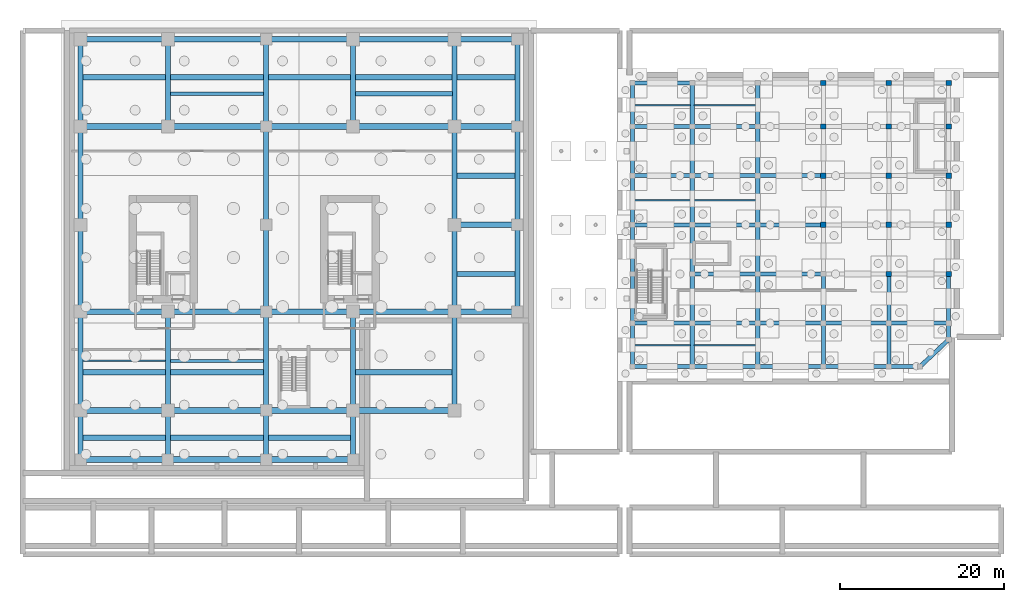
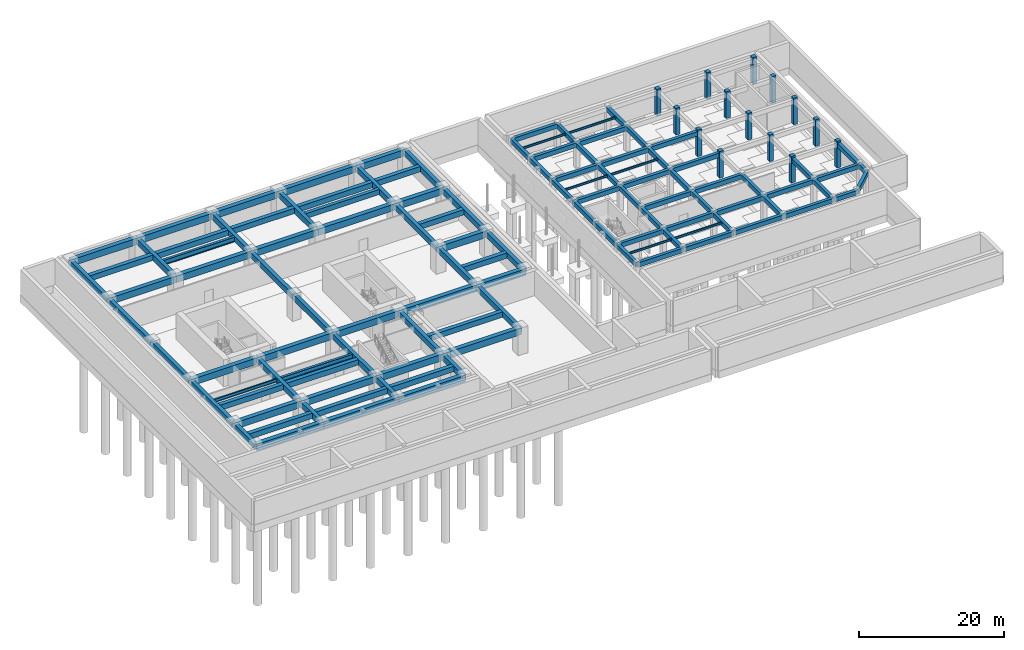
# One storey, part 7 of 14: 115 beams, 14 columns.
"""IFC4 building model written with IfcOpenShell, lengths in metres."""

from ifc_helpers import new_model, si_unit, direction, frame, origin, origin_2d, place, context, subcontext, project, spatial, rectangle, i_section, extrude, source, transform, mapped, material, material_profile, profile_set, type_object, element, save


model = new_model("IFC4")

# Units and contexts
model_context = context("Model", 3, precision=1e-05, world=origin(), true_north=direction((0.0, 1.0)))
body_context = subcontext(model_context, "Body", "Model", "MODEL_VIEW")
ifc_project = project(units=[si_unit("LENGTHUNIT", "METRE"), si_unit("AREAUNIT", "SQUARE_METRE"), si_unit("VOLUMEUNIT", "CUBIC_METRE"), si_unit("PLANEANGLEUNIT", "RADIAN"), si_unit("MASSUNIT", "GRAM", prefix="KILO")], contexts=[model_context])

# Site, building, storey
site_placement = place(None, origin())
site = spatial("IfcSite", under=ifc_project, at=site_placement, CompositionType="ELEMENT")
building_placement = place(site_placement, origin())
building = spatial("IfcBuilding", under=site, at=building_placement, Name="Khoralis Quay Care Tower", CompositionType="ELEMENT")
storey_placement = place(building_placement, frame((0.0, 0.0, -4.5)))
storey = spatial("IfcBuildingStorey", under=building, at=storey_placement, Name="B1", CompositionType="ELEMENT", Elevation=-4.5)

# Columns
ifc_material_1 = material(Name="Concrete C40/50", Category="concrete")
ifc_material_profile_1 = material_profile(ifc_material_1, rectangle(XDim=0.64990234375, YDim=0.64990234375, at=origin_2d()), Name="Concrete C40/50")
ifc_profile_set_1 = profile_set([ifc_material_profile_1], Name="Concrete C40/50")
column_type = type_object("IfcColumnType", Name="COL-SC650", PredefinedType="COLUMN", material=ifc_profile_set_1)
shared_shape_1 = source(origin(), body_context, "Body", "SweptSolid", [
    extrude(rectangle(XDim=0.64990234375, YDim=0.64990234375, at=origin_2d()), origin(), (0.0, 0.0, 1.0), 4.5),
])
for number, where, z_axis, x_axis, name in (
    (1, (92.0, 24.0, 0.0), (0.0, 0.0, 1.0), (1.0, 0.0, 0.0), "COL-SCH-B1-25"),
    (2, (92.0, 30.0, 0.0), (0.0, 0.0, 1.0), (1.0, 0.0, 0.0), "COL-SCH-B1-26"),
    (3, (92.0, 36.0, 0.0), (0.0, 0.0, 1.0), (1.0, 0.0, 0.0), "COL-SCH-B1-27"),
    (4, (92.0, 41.300048828125, 0.0), (0.0, 0.0, 1.0), (1.0, 0.0, 0.0), "COL-SCH-B1-28"),
    (5, (100.0, 18.0, 0.0), (0.0, 0.0, 1.0), (1.0, 0.0, 0.0), "COL-SCH-B1-31"),
    (6, (100.0, 24.0, 0.0), (0.0, 0.0, 1.0), (1.0, 0.0, 0.0), "COL-SCH-B1-32"),
    (7, (100.0, 30.0, 0.0), (0.0, 0.0, 1.0), (1.0, 0.0, 0.0), "COL-SCH-B1-33"),
    (8, (100.0, 36.0, 0.0), (0.0, 0.0, 1.0), (1.0, 0.0, 0.0), "COL-SCH-B1-34"),
    (9, (100.0, 41.300048828125, 0.0), (0.0, 0.0, 1.0), (1.0, 0.0, 0.0), "COL-SCH-B1-35"),
    (10, (107.300048828125, 18.0, 0.0), (0.0, 0.0, 1.0), (1.0, 0.0, 0.0), "COL-SCH-B1-37"),
    (11, (107.300048828125, 24.0, 0.0), (0.0, 0.0, 1.0), (1.0, 0.0, 0.0), "COL-SCH-B1-38"),
    (12, (107.300048828125, 30.0, 0.0), (0.0, 0.0, 1.0), (1.0, 0.0, 0.0), "COL-SCH-B1-39"),
    (13, (107.300048828125, 36.0, 0.0), (0.0, 0.0, 1.0), (1.0, 0.0, 0.0), "COL-SCH-B1-40"),
    (14, (107.300048828125, 41.300048828125, 0.0), (0.0, 0.0, 1.0), (1.0, 0.0, 0.0), "COL-SCH-B1-41"),
):
    element("IfcColumn", number, at=place(storey_placement, frame(where, z_axis=z_axis, x_axis=x_axis)), inside=storey, type_object=column_type, Name=name, PredefinedType="COLUMN", context=body_context, shape_type="MappedRepresentation", body=[
        mapped(shared_shape_1, transform((0.0, 0.0, 0.0), scale=1.0)),
    ])

# Beams
ifc_material_2 = material(Name="Concrete C65/80", Category="concrete")
ifc_material_profile_2 = material_profile(ifc_material_2, rectangle(XDim=0.699951171875, YDim=1.10009765625, at=origin_2d()), Name="Concrete C65/80")
ifc_profile_set_2 = profile_set([ifc_material_profile_2], Name="Concrete C65/80")
beam_type_1 = type_object("IfcBeamType", Name="BM-RC700X1100", PredefinedType="BEAM", material=ifc_profile_set_2)
shared_shape_2 = source(origin(), body_context, "Body", "SweptSolid", [
    extrude(rectangle(XDim=0.699951171875, YDim=1.10009765625, at=origin_2d()), origin(), (0.0, 0.0, 1.0), 10.64990234375),
])
for number, where, z_axis, x_axis, name in (
    (15, (1.35009765625, -4.64990234375, 3.610107421875), (1.0, 0.0, 0.0), (0.0, 1.0, 0.0), "BM-PODX-B1-01"),
    (16, (1.35009765625, 1.35009765625, 3.610107421875), (1.0, 0.0, 0.0), (0.0, 1.0, 0.0), "BM-PODX-B1-04"),
    (17, (1.35009765625, 13.39990234375, 3.610107421875), (1.0, 0.0, 0.0), (0.0, 1.0, 0.0), "BM-PODX-B1-08"),
    (18, (1.35009765625, 36.0, 3.610107421875), (1.0, 0.0, 0.0), (0.0, 1.0, 0.0), "BM-PODX-B1-14"),
    (19, (1.35009765625, 46.64990234375, 3.610107421875), (1.0, 0.0, 0.0), (0.0, 1.0, 0.0), "BM-PODX-B1-19"),
):
    element("IfcBeam", number, at=place(storey_placement, frame(where, z_axis=z_axis, x_axis=x_axis)), inside=storey, type_object=beam_type_1, Name=name, PredefinedType="BEAM", context=body_context, shape_type="MappedRepresentation", body=[
        mapped(shared_shape_2, transform((0.0, 0.0, 0.0), scale=1.0)),
    ])
shared_shape_3 = source(origin(), body_context, "Body", "SweptSolid", [
    extrude(rectangle(XDim=0.699951171875, YDim=1.10009765625, at=origin_2d()), origin(), (0.0, 0.0, 1.0), 12.0),
])
for number, where, z_axis, x_axis, name in (
    (20, (12.0, -4.64990234375, 3.610107421875), (1.0, 0.0, 0.0), (0.0, 1.0, 0.0), "BM-PODX-B1-02"),
    (21, (12.0, 1.35009765625, 3.610107421875), (1.0, 0.0, 0.0), (0.0, 1.0, 0.0), "BM-PODX-B1-05"),
    (22, (12.0, 13.39990234375, 3.610107421875), (1.0, 0.0, 0.0), (0.0, 1.0, 0.0), "BM-PODX-B1-09"),
    (23, (12.0, 36.0, 3.610107421875), (1.0, 0.0, 0.0), (0.0, 1.0, 0.0), "BM-PODX-B1-15"),
    (24, (12.0, 46.64990234375, 3.610107421875), (1.0, 0.0, 0.0), (0.0, 1.0, 0.0), "BM-PODX-B1-20"),
):
    element("IfcBeam", number, at=place(storey_placement, frame(where, z_axis=z_axis, x_axis=x_axis)), inside=storey, type_object=beam_type_1, Name=name, PredefinedType="BEAM", context=body_context, shape_type="MappedRepresentation", body=[
        mapped(shared_shape_3, transform((0.0, 0.0, 0.0), scale=1.0)),
    ])
shared_shape_4 = source(origin(), body_context, "Body", "SweptSolid", [
    extrude(rectangle(XDim=0.699951171875, YDim=1.10009765625, at=origin_2d()), origin(), (0.0, 0.0, 1.0), 10.60009765625),
])
for number, where, z_axis, x_axis, name in (
    (25, (24.0, -4.64990234375, 3.610107421875), (1.0, 0.0, 0.0), (0.0, 1.0, 0.0), "BM-PODX-B1-03"),
    (26, (24.0, 1.35009765625, 3.610107421875), (1.0, 0.0, 0.0), (0.0, 1.0, 0.0), "BM-PODX-B1-06"),
    (27, (24.0, 13.39990234375, 3.610107421875), (1.0, 0.0, 0.0), (0.0, 1.0, 0.0), "BM-PODX-B1-10"),
    (28, (24.0, 36.0, 3.610107421875), (1.0, 0.0, 0.0), (0.0, 1.0, 0.0), "BM-PODX-B1-16"),
    (29, (24.0, 46.64990234375, 3.610107421875), (1.0, 0.0, 0.0), (0.0, 1.0, 0.0), "BM-PODX-B1-21"),
):
    element("IfcBeam", number, at=place(storey_placement, frame(where, z_axis=z_axis, x_axis=x_axis)), inside=storey, type_object=beam_type_1, Name=name, PredefinedType="BEAM", context=body_context, shape_type="MappedRepresentation", body=[
        mapped(shared_shape_4, transform((0.0, 0.0, 0.0), scale=1.0)),
    ])
shared_shape_5 = source(origin(), body_context, "Body", "SweptSolid", [
    extrude(rectangle(XDim=0.699951171875, YDim=1.10009765625, at=origin_2d()), origin(), (0.0, 0.0, 1.0), 12.39990234375),
])
for number, where, z_axis, x_axis, name in (
    (30, (34.60009765625, 1.35009765625, 3.610107421875), (1.0, 0.0, 0.0), (0.0, 1.0, 0.0), "BM-PODX-B1-07"),
    (31, (34.60009765625, 13.39990234375, 3.610107421875), (1.0, 0.0, 0.0), (0.0, 1.0, 0.0), "BM-PODX-B1-11"),
    (32, (34.60009765625, 36.0, 3.610107421875), (1.0, 0.0, 0.0), (0.0, 1.0, 0.0), "BM-PODX-B1-17"),
    (33, (34.60009765625, 46.64990234375, 3.610107421875), (1.0, 0.0, 0.0), (0.0, 1.0, 0.0), "BM-PODX-B1-22"),
):
    element("IfcBeam", number, at=place(storey_placement, frame(where, z_axis=z_axis, x_axis=x_axis)), inside=storey, type_object=beam_type_1, Name=name, PredefinedType="BEAM", context=body_context, shape_type="MappedRepresentation", body=[
        mapped(shared_shape_5, transform((0.0, 0.0, 0.0), scale=1.0)),
    ])
shared_shape_6 = source(origin(), body_context, "Body", "SweptSolid", [
    extrude(rectangle(XDim=0.699951171875, YDim=1.10009765625, at=origin_2d()), origin(), (0.0, 0.0, 1.0), 7.64990234375),
])
for number, where, z_axis, x_axis, name in (
    (34, (47.0, 13.39990234375, 3.610107421875), (1.0, 0.0, 0.0), (0.0, 1.0, 0.0), "BM-PODX-B1-12"),
    (35, (47.0, 24.0, 3.610107421875), (1.0, 0.0, 0.0), (0.0, 1.0, 0.0), "BM-PODX-B1-13"),
    (36, (47.0, 36.0, 3.610107421875), (1.0, 0.0, 0.0), (0.0, 1.0, 0.0), "BM-PODX-B1-18"),
    (37, (47.0, 46.64990234375, 3.610107421875), (1.0, 0.0, 0.0), (0.0, 1.0, 0.0), "BM-PODX-B1-23"),
):
    element("IfcBeam", number, at=place(storey_placement, frame(where, z_axis=z_axis, x_axis=x_axis)), inside=storey, type_object=beam_type_1, Name=name, PredefinedType="BEAM", context=body_context, shape_type="MappedRepresentation", body=[
        mapped(shared_shape_6, transform((0.0, 0.0, 0.0), scale=1.0)),
    ])
ifc_material_3 = material(Name="Concrete C50/60", Category="concrete")
ifc_material_profile_3 = material_profile(ifc_material_3, rectangle(XDim=0.60009765625, YDim=0.949951171875, at=origin_2d()), Name="Concrete C50/60")
ifc_profile_set_3 = profile_set([ifc_material_profile_3], Name="Concrete C50/60")
beam_type_2 = type_object("IfcBeamType", Name="BM-RC600X950", PredefinedType="BEAM", material=ifc_profile_set_3)
shared_shape_7 = source(origin(), body_context, "Body", "SweptSolid", [
    extrude(rectangle(XDim=0.60009765625, YDim=0.949951171875, at=origin_2d()), origin(), (0.0, 0.0, 1.0), 6.0),
])
for number, where, z_axis, x_axis, name in (
    (38, (1.35009765625, -4.64990234375, 3.68505859375), (0.0, 1.0, 0.0), (-1.0, 0.0, 0.0), "BM-PODY-B1-24"),
    (39, (12.0, -4.64990234375, 3.68505859375), (0.0, 1.0, 0.0), (-1.0, 0.0, 0.0), "BM-PODY-B1-29"),
    (40, (24.0, -4.64990234375, 3.68505859375), (0.0, 1.0, 0.0), (-1.0, 0.0, 0.0), "BM-PODY-B1-32"),
    (41, (34.60009765625, -4.64990234375, 3.68505859375), (0.0, 1.0, 0.0), (-1.0, 0.0, 0.0), "BM-PODY-B1-37"),
):
    element("IfcBeam", number, at=place(storey_placement, frame(where, z_axis=z_axis, x_axis=x_axis)), inside=storey, type_object=beam_type_2, Name=name, PredefinedType="BEAM", context=body_context, shape_type="MappedRepresentation", body=[
        mapped(shared_shape_7, transform((0.0, 0.0, 0.0), scale=1.0)),
    ])
shared_shape_8 = source(origin(), body_context, "Body", "SweptSolid", [
    extrude(rectangle(XDim=0.60009765625, YDim=0.949951171875, at=origin_2d()), origin(), (0.0, 0.0, 1.0), 12.0498046875),
])
for number, where, z_axis, x_axis, name in (
    (42, (1.35009765625, 1.35009765625, 3.68505859375), (0.0, 1.0, 0.0), (-1.0, 0.0, 0.0), "BM-PODY-B1-25"),
    (43, (12.0, 1.35009765625, 3.68505859375), (0.0, 1.0, 0.0), (-1.0, 0.0, 0.0), "BM-PODY-B1-30"),
    (44, (24.0, 1.35009765625, 3.68505859375), (0.0, 1.0, 0.0), (-1.0, 0.0, 0.0), "BM-PODY-B1-33"),
    (45, (34.60009765625, 1.35009765625, 3.68505859375), (0.0, 1.0, 0.0), (-1.0, 0.0, 0.0), "BM-PODY-B1-38"),
    (46, (47.0, 1.35009765625, 3.68505859375), (0.0, 1.0, 0.0), (-1.0, 0.0, 0.0), "BM-PODY-B1-40"),
):
    element("IfcBeam", number, at=place(storey_placement, frame(where, z_axis=z_axis, x_axis=x_axis)), inside=storey, type_object=beam_type_2, Name=name, PredefinedType="BEAM", context=body_context, shape_type="MappedRepresentation", body=[
        mapped(shared_shape_8, transform((0.0, 0.0, 0.0), scale=1.0)),
    ])
shared_shape_9 = source(origin(), body_context, "Body", "SweptSolid", [
    extrude(rectangle(XDim=0.60009765625, YDim=0.949951171875, at=origin_2d()), origin(), (0.0, 0.0, 1.0), 10.60009765625),
])
for number, where, z_axis, x_axis, name in (
    (47, (1.35009765625, 13.39990234375, 3.68505859375), (0.0, 1.0, 0.0), (-1.0, 0.0, 0.0), "BM-PODY-B1-26"),
    (48, (24.0, 13.39990234375, 3.68505859375), (0.0, 1.0, 0.0), (-1.0, 0.0, 0.0), "BM-PODY-B1-34"),
    (49, (47.0, 13.39990234375, 3.68505859375), (0.0, 1.0, 0.0), (-1.0, 0.0, 0.0), "BM-PODY-B1-41"),
    (50, (54.64990234375, 13.39990234375, 3.68505859375), (0.0, 1.0, 0.0), (-1.0, 0.0, 0.0), "BM-PODY-B1-44"),
):
    element("IfcBeam", number, at=place(storey_placement, frame(where, z_axis=z_axis, x_axis=x_axis)), inside=storey, type_object=beam_type_2, Name=name, PredefinedType="BEAM", context=body_context, shape_type="MappedRepresentation", body=[
        mapped(shared_shape_9, transform((0.0, 0.0, 0.0), scale=1.0)),
    ])
shared_shape_10 = source(origin(), body_context, "Body", "SweptSolid", [
    extrude(rectangle(XDim=0.60009765625, YDim=0.949951171875, at=origin_2d()), origin(), (0.0, 0.0, 1.0), 12.0),
])
for number, where, z_axis, x_axis, name in (
    (51, (1.35009765625, 24.0, 3.68505859375), (0.0, 1.0, 0.0), (-1.0, 0.0, 0.0), "BM-PODY-B1-27"),
    (52, (24.0, 24.0, 3.68505859375), (0.0, 1.0, 0.0), (-1.0, 0.0, 0.0), "BM-PODY-B1-35"),
    (53, (47.0, 24.0, 3.68505859375), (0.0, 1.0, 0.0), (-1.0, 0.0, 0.0), "BM-PODY-B1-42"),
    (54, (54.64990234375, 24.0, 3.68505859375), (0.0, 1.0, 0.0), (-1.0, 0.0, 0.0), "BM-PODY-B1-45"),
):
    element("IfcBeam", number, at=place(storey_placement, frame(where, z_axis=z_axis, x_axis=x_axis)), inside=storey, type_object=beam_type_2, Name=name, PredefinedType="BEAM", context=body_context, shape_type="MappedRepresentation", body=[
        mapped(shared_shape_10, transform((0.0, 0.0, 0.0), scale=1.0)),
    ])
shared_shape_11 = source(origin(), body_context, "Body", "SweptSolid", [
    extrude(rectangle(XDim=0.60009765625, YDim=0.949951171875, at=origin_2d()), origin(), (0.0, 0.0, 1.0), 10.64990234375),
])
for number, where, z_axis, x_axis, name in (
    (55, (1.35009765625, 36.0, 3.68505859375), (0.0, 1.0, 0.0), (-1.0, 0.0, 0.0), "BM-PODY-B1-28"),
    (56, (12.0, 36.0, 3.68505859375), (0.0, 1.0, 0.0), (-1.0, 0.0, 0.0), "BM-PODY-B1-31"),
    (57, (24.0, 36.0, 3.68505859375), (0.0, 1.0, 0.0), (-1.0, 0.0, 0.0), "BM-PODY-B1-36"),
    (58, (34.60009765625, 36.0, 3.68505859375), (0.0, 1.0, 0.0), (-1.0, 0.0, 0.0), "BM-PODY-B1-39"),
    (59, (47.0, 36.0, 3.68505859375), (0.0, 1.0, 0.0), (-1.0, 0.0, 0.0), "BM-PODY-B1-43"),
    (60, (54.64990234375, 36.0, 3.68505859375), (0.0, 1.0, 0.0), (-1.0, 0.0, 0.0), "BM-PODY-B1-46"),
):
    element("IfcBeam", number, at=place(storey_placement, frame(where, z_axis=z_axis, x_axis=x_axis)), inside=storey, type_object=beam_type_2, Name=name, PredefinedType="BEAM", context=body_context, shape_type="MappedRepresentation", body=[
        mapped(shared_shape_11, transform((0.0, 0.0, 0.0), scale=1.0)),
    ])
ifc_material_profile_4 = material_profile(ifc_material_3, rectangle(XDim=0.64990234375, YDim=0.89990234375, at=origin_2d()), Name="Concrete C50/60")
ifc_profile_set_4 = profile_set([ifc_material_profile_4], Name="Concrete C50/60")
beam_type_3 = type_object("IfcBeamType", Name="TB-RC650X900", PredefinedType="T_BEAM", material=ifc_profile_set_4)
shared_shape_12 = source(origin(), body_context, "Body", "SweptSolid", [
    extrude(rectangle(XDim=0.64990234375, YDim=0.89990234375, at=origin_2d()), origin(), (0.0, 0.0, 1.0), 10.073974609375),
])
for number, where, z_axis, x_axis, name in (
    (61, (1.637939453125, -2.0, 3.7099609375), (1.0, 0.0, 0.0), (0.0, 1.0, 0.0), "BM-PODJ-B1-47"),
    (62, (1.637939453125, 6.0, 3.7099609375), (1.0, 0.0, 0.0), (0.0, 1.0, 0.0), "BM-PODJ-B1-50"),
    (63, (1.637939453125, 42.0, 3.7099609375), (1.0, 0.0, 0.0), (0.0, 1.0, 0.0), "BM-PODJ-B1-55"),
):
    element("IfcBeam", number, at=place(storey_placement, frame(where, z_axis=z_axis, x_axis=x_axis)), inside=storey, type_object=beam_type_3, Name=name, PredefinedType="T_BEAM", context=body_context, shape_type="MappedRepresentation", body=[
        mapped(shared_shape_12, transform((0.0, 0.0, 0.0), scale=1.0)),
    ])
shared_shape_13 = source(origin(), body_context, "Body", "SweptSolid", [
    extrude(rectangle(XDim=0.64990234375, YDim=0.89990234375, at=origin_2d()), origin(), (0.0, 0.0, 1.0), 11.423828125),
])
for number, where, z_axis, x_axis, name in (
    (64, (12.2880859375, -2.0, 3.7099609375), (1.0, 0.0, 0.0), (0.0, 1.0, 0.0), "BM-PODJ-B1-48"),
    (65, (12.2880859375, 6.0, 3.7099609375), (1.0, 0.0, 0.0), (0.0, 1.0, 0.0), "BM-PODJ-B1-51"),
    (66, (12.2880859375, 42.0, 3.7099609375), (1.0, 0.0, 0.0), (0.0, 1.0, 0.0), "BM-PODJ-B1-56"),
):
    element("IfcBeam", number, at=place(storey_placement, frame(where, z_axis=z_axis, x_axis=x_axis)), inside=storey, type_object=beam_type_3, Name=name, PredefinedType="T_BEAM", context=body_context, shape_type="MappedRepresentation", body=[
        mapped(shared_shape_13, transform((0.0, 0.0, 0.0), scale=1.0)),
    ])
shared_shape_14 = source(origin(), body_context, "Body", "SweptSolid", [
    extrude(rectangle(XDim=0.64990234375, YDim=0.89990234375, at=origin_2d()), origin(), (0.0, 0.0, 1.0), 10.02392578125),
])
for number, where, z_axis, x_axis, name in (
    (67, (24.2880859375, -2.0, 3.7099609375), (1.0, 0.0, 0.0), (0.0, 1.0, 0.0), "BM-PODJ-B1-49"),
    (68, (24.2880859375, 42.0, 3.7099609375), (1.0, 0.0, 0.0), (0.0, 1.0, 0.0), "BM-PODJ-B1-57"),
):
    element("IfcBeam", number, at=place(storey_placement, frame(where, z_axis=z_axis, x_axis=x_axis)), inside=storey, type_object=beam_type_3, Name=name, PredefinedType="T_BEAM", context=body_context, shape_type="MappedRepresentation", body=[
        mapped(shared_shape_14, transform((0.0, 0.0, 0.0), scale=1.0)),
    ])
shared_shape_15 = source(origin(), body_context, "Body", "SweptSolid", [
    extrude(rectangle(XDim=0.64990234375, YDim=0.89990234375, at=origin_2d()), origin(), (0.0, 0.0, 1.0), 11.823974609375),
])
for number, where, z_axis, x_axis, name in (
    (69, (34.887939453125, 6.0, 3.7099609375), (1.0, 0.0, 0.0), (0.0, 1.0, 0.0), "BM-PODJ-B1-52"),
    (70, (34.887939453125, 42.0, 3.7099609375), (1.0, 0.0, 0.0), (0.0, 1.0, 0.0), "BM-PODJ-B1-58"),
):
    element("IfcBeam", number, at=place(storey_placement, frame(where, z_axis=z_axis, x_axis=x_axis)), inside=storey, type_object=beam_type_3, Name=name, PredefinedType="T_BEAM", context=body_context, shape_type="MappedRepresentation", body=[
        mapped(shared_shape_15, transform((0.0, 0.0, 0.0), scale=1.0)),
    ])
shared_shape_16 = source(origin(), body_context, "Body", "SweptSolid", [
    extrude(rectangle(XDim=0.64990234375, YDim=0.89990234375, at=origin_2d()), origin(), (0.0, 0.0, 1.0), 7.073974609375),
])
for number, where, z_axis, x_axis, name in (
    (71, (47.2880859375, 18.0, 3.7099609375), (1.0, 0.0, 0.0), (0.0, 1.0, 0.0), "BM-PODJ-B1-53"),
    (72, (47.2880859375, 30.0, 3.7099609375), (1.0, 0.0, 0.0), (0.0, 1.0, 0.0), "BM-PODJ-B1-54"),
    (73, (47.2880859375, 42.0, 3.7099609375), (1.0, 0.0, 0.0), (0.0, 1.0, 0.0), "BM-PODJ-B1-59"),
):
    element("IfcBeam", number, at=place(storey_placement, frame(where, z_axis=z_axis, x_axis=x_axis)), inside=storey, type_object=beam_type_3, Name=name, PredefinedType="T_BEAM", context=body_context, shape_type="MappedRepresentation", body=[
        mapped(shared_shape_16, transform((0.0, 0.0, 0.0), scale=1.0)),
    ])
ifc_material_profile_5 = material_profile(ifc_material_1, rectangle(XDim=0.5, YDim=0.75, at=origin_2d()), Name="Concrete C40/50")
ifc_profile_set_5 = profile_set([ifc_material_profile_5], Name="Concrete C40/50")
beam_type_4 = type_object("IfcBeamType", Name="BM-RC500X750", PredefinedType="BEAM", material=ifc_profile_set_5)
shared_shape_17 = source(origin(), body_context, "Body", "SweptSolid", [
    extrude(rectangle(XDim=0.5, YDim=0.75, at=origin_2d()), origin(), (0.0, 0.0, 1.0), 7.300048828125),
])
for number, where, z_axis, x_axis, name in (
    (74, (68.699951171875, 6.699951171875, 3.824951171875), (1.0, 0.0, 0.0), (0.0, 1.0, 0.0), "BM-SCX-B1-01"),
    (75, (68.699951171875, 12.0, 3.824951171875), (1.0, 0.0, 0.0), (0.0, 1.0, 0.0), "BM-SCX-B1-05"),
    (76, (100.0, 12.0, 3.824951171875), (1.0, 0.0, 0.0), (0.0, 1.0, 0.0), "BM-SCX-B1-09"),
    (77, (68.699951171875, 24.0, 3.824951171875), (1.0, 0.0, 0.0), (0.0, 1.0, 0.0), "BM-SCX-B1-14"),
    (78, (68.699951171875, 30.0, 3.824951171875), (1.0, 0.0, 0.0), (0.0, 1.0, 0.0), "BM-SCX-B1-19"),
    (79, (68.699951171875, 36.0, 3.824951171875), (1.0, 0.0, 0.0), (0.0, 1.0, 0.0), "BM-SCX-B1-24"),
    (80, (68.699951171875, 41.300048828125, 3.824951171875), (1.0, 0.0, 0.0), (0.0, 1.0, 0.0), "BM-SCX-B1-29"),
):
    element("IfcBeam", number, at=place(storey_placement, frame(where, z_axis=z_axis, x_axis=x_axis)), inside=storey, type_object=beam_type_4, Name=name, PredefinedType="BEAM", context=body_context, shape_type="MappedRepresentation", body=[
        mapped(shared_shape_17, transform((0.0, 0.0, 0.0), scale=1.0)),
    ])
shared_shape_18 = source(origin(), body_context, "Body", "SweptSolid", [
    extrude(rectangle(XDim=0.5, YDim=0.75, at=origin_2d()), origin(), (0.0, 0.0, 1.0), 8.0),
])
for number, where, z_axis, x_axis, name in (
    (81, (76.0, 6.699951171875, 3.824951171875), (1.0, 0.0, 0.0), (0.0, 1.0, 0.0), "BM-SCX-B1-02"),
    (82, (84.0, 6.699951171875, 3.824951171875), (1.0, 0.0, 0.0), (0.0, 1.0, 0.0), "BM-SCX-B1-03"),
    (83, (92.0, 6.699951171875, 3.824951171875), (1.0, 0.0, 0.0), (0.0, 1.0, 0.0), "BM-SCX-B1-04"),
    (84, (76.0, 12.0, 3.824951171875), (1.0, 0.0, 0.0), (0.0, 1.0, 0.0), "BM-SCX-B1-06"),
    (85, (84.0, 12.0, 3.824951171875), (1.0, 0.0, 0.0), (0.0, 1.0, 0.0), "BM-SCX-B1-07"),
    (86, (92.0, 12.0, 3.824951171875), (1.0, 0.0, 0.0), (0.0, 1.0, 0.0), "BM-SCX-B1-08"),
    (87, (76.0, 18.0, 3.824951171875), (1.0, 0.0, 0.0), (0.0, 1.0, 0.0), "BM-SCX-B1-10"),
    (88, (84.0, 18.0, 3.824951171875), (1.0, 0.0, 0.0), (0.0, 1.0, 0.0), "BM-SCX-B1-11"),
    (89, (76.0, 24.0, 3.824951171875), (1.0, 0.0, 0.0), (0.0, 1.0, 0.0), "BM-SCX-B1-15"),
    (90, (84.0, 24.0, 3.824951171875), (1.0, 0.0, 0.0), (0.0, 1.0, 0.0), "BM-SCX-B1-16"),
    (91, (76.0, 30.0, 3.824951171875), (1.0, 0.0, 0.0), (0.0, 1.0, 0.0), "BM-SCX-B1-20"),
    (92, (84.0, 30.0, 3.824951171875), (1.0, 0.0, 0.0), (0.0, 1.0, 0.0), "BM-SCX-B1-21"),
    (93, (76.0, 36.0, 3.824951171875), (1.0, 0.0, 0.0), (0.0, 1.0, 0.0), "BM-SCX-B1-25"),
):
    element("IfcBeam", number, at=place(storey_placement, frame(where, z_axis=z_axis, x_axis=x_axis)), inside=storey, type_object=beam_type_4, Name=name, PredefinedType="BEAM", context=body_context, shape_type="MappedRepresentation", body=[
        mapped(shared_shape_18, transform((0.0, 0.0, 0.0), scale=1.0)),
    ])
shared_shape_19 = source(origin(), body_context, "Body", "SweptSolid", [
    extrude(rectangle(XDim=0.5, YDim=0.75, at=origin_2d()), origin(), (0.0, 0.0, 1.0), 5.300048828125),
])
for number, where, z_axis, x_axis, name in (
    (94, (68.699951171875, 6.699951171875, 3.824951171875), (0.0, 1.0, 0.0), (-1.0, 0.0, 0.0), "BM-SCY-B1-34"),
    (95, (68.699951171875, 36.0, 3.824951171875), (0.0, 1.0, 0.0), (-1.0, 0.0, 0.0), "BM-SCY-B1-39"),
    (96, (76.0, 6.699951171875, 3.824951171875), (0.0, 1.0, 0.0), (-1.0, 0.0, 0.0), "BM-SCY-B1-40"),
    (97, (76.0, 36.0, 3.824951171875), (0.0, 1.0, 0.0), (-1.0, 0.0, 0.0), "BM-SCY-B1-45"),
    (98, (84.0, 6.699951171875, 3.824951171875), (0.0, 1.0, 0.0), (-1.0, 0.0, 0.0), "BM-SCY-B1-46"),
    (99, (84.0, 36.0, 3.824951171875), (0.0, 1.0, 0.0), (-1.0, 0.0, 0.0), "BM-SCY-B1-51"),
    (100, (92.0, 6.699951171875, 3.824951171875), (0.0, 1.0, 0.0), (-1.0, 0.0, 0.0), "BM-SCY-B1-52"),
    (101, (100.0, 6.699951171875, 3.824951171875), (0.0, 1.0, 0.0), (-1.0, 0.0, 0.0), "BM-SCY-B1-58"),
):
    element("IfcBeam", number, at=place(storey_placement, frame(where, z_axis=z_axis, x_axis=x_axis)), inside=storey, type_object=beam_type_4, Name=name, PredefinedType="BEAM", context=body_context, shape_type="MappedRepresentation", body=[
        mapped(shared_shape_19, transform((0.0, 0.0, 0.0), scale=1.0)),
    ])
shared_shape_20 = source(origin(), body_context, "Body", "SweptSolid", [
    extrude(rectangle(XDim=0.5, YDim=0.75, at=origin_2d()), origin(), (0.0, 0.0, 1.0), 6.0),
])
for number, where, z_axis, x_axis, name in (
    (102, (68.699951171875, 12.0, 3.824951171875), (0.0, 1.0, 0.0), (-1.0, 0.0, 0.0), "BM-SCY-B1-35"),
    (103, (68.699951171875, 18.0, 3.824951171875), (0.0, 1.0, 0.0), (-1.0, 0.0, 0.0), "BM-SCY-B1-36"),
    (104, (68.699951171875, 24.0, 3.824951171875), (0.0, 1.0, 0.0), (-1.0, 0.0, 0.0), "BM-SCY-B1-37"),
    (105, (68.699951171875, 30.0, 3.824951171875), (0.0, 1.0, 0.0), (-1.0, 0.0, 0.0), "BM-SCY-B1-38"),
    (106, (76.0, 12.0, 3.824951171875), (0.0, 1.0, 0.0), (-1.0, 0.0, 0.0), "BM-SCY-B1-41"),
    (107, (76.0, 18.0, 3.824951171875), (0.0, 1.0, 0.0), (-1.0, 0.0, 0.0), "BM-SCY-B1-42"),
    (108, (76.0, 24.0, 3.824951171875), (0.0, 1.0, 0.0), (-1.0, 0.0, 0.0), "BM-SCY-B1-43"),
    (109, (76.0, 30.0, 3.824951171875), (0.0, 1.0, 0.0), (-1.0, 0.0, 0.0), "BM-SCY-B1-44"),
    (110, (84.0, 12.0, 3.824951171875), (0.0, 1.0, 0.0), (-1.0, 0.0, 0.0), "BM-SCY-B1-47"),
    (111, (84.0, 18.0, 3.824951171875), (0.0, 1.0, 0.0), (-1.0, 0.0, 0.0), "BM-SCY-B1-48"),
    (112, (84.0, 24.0, 3.824951171875), (0.0, 1.0, 0.0), (-1.0, 0.0, 0.0), "BM-SCY-B1-49"),
    (113, (84.0, 30.0, 3.824951171875), (0.0, 1.0, 0.0), (-1.0, 0.0, 0.0), "BM-SCY-B1-50"),
    (114, (92.0, 12.0, 3.824951171875), (0.0, 1.0, 0.0), (-1.0, 0.0, 0.0), "BM-SCY-B1-53"),
    (115, (100.0, 12.0, 3.824951171875), (0.0, 1.0, 0.0), (-1.0, 0.0, 0.0), "BM-SCY-B1-59"),
    (116, (107.300048828125, 12.0, 3.824951171875), (0.0, 1.0, 0.0), (-1.0, 0.0, 0.0), "BM-SCY-B1-64"),
):
    element("IfcBeam", number, at=place(storey_placement, frame(where, z_axis=z_axis, x_axis=x_axis)), inside=storey, type_object=beam_type_4, Name=name, PredefinedType="BEAM", context=body_context, shape_type="MappedRepresentation", body=[
        mapped(shared_shape_20, transform((0.0, 0.0, 0.0), scale=1.0)),
    ])
shared_shape_21 = source(origin(), body_context, "Body", "SweptSolid", [
    extrude(rectangle(XDim=0.5, YDim=0.75, at=origin_2d()), origin(), (0.0, 0.0, 1.0), 3.800048828125),
])
beam_1_placement = place(storey_placement, frame((100.0, 6.699951171875, 3.824951171875), z_axis=(1.0, 0.0, 0.0), x_axis=(0.0, 1.0, 0.0)))
element("IfcBeam", 117, at=beam_1_placement, inside=storey, type_object=beam_type_4, Name="BM-SCCH-B1-1", PredefinedType="BEAM", context=body_context, shape_type="MappedRepresentation", body=[
    mapped(shared_shape_21, transform((0.0, 0.0, 0.0), scale=1.0)),
])
shared_shape_22 = source(origin(), body_context, "Body", "SweptSolid", [
    extrude(rectangle(XDim=0.5, YDim=0.75, at=origin_2d()), origin(), (0.0, 0.0, 1.0), 4.810546875),
])
beam_2_placement = place(storey_placement, frame((103.800048828125, 6.699951171875, 3.824951171875), z_axis=(0.727584339713, 0.686018242181, 0.0), x_axis=(-0.686018242181, 0.727584339713, 0.0)))
element("IfcBeam", 118, at=beam_2_placement, inside=storey, type_object=beam_type_4, Name="BM-SCCH-B1-2", PredefinedType="BEAM", context=body_context, shape_type="MappedRepresentation", body=[
    mapped(shared_shape_22, transform((0.0, 0.0, 0.0), scale=1.0)),
])
shared_shape_23 = source(origin(), body_context, "Body", "SweptSolid", [
    extrude(rectangle(XDim=0.5, YDim=0.75, at=origin_2d()), origin(), (0.0, 0.0, 1.0), 2.0),
])
beam_3_placement = place(storey_placement, frame((107.300048828125, 10.0, 3.824951171875), z_axis=(0.0, 1.0, 0.0), x_axis=(-1.0, 0.0, 0.0)))
element("IfcBeam", 119, at=beam_3_placement, inside=storey, type_object=beam_type_4, Name="BM-SCCH-B1-3", PredefinedType="BEAM", context=body_context, shape_type="MappedRepresentation", body=[
    mapped(shared_shape_23, transform((0.0, 0.0, 0.0), scale=1.0)),
])
ifc_material_4 = material(Name="Steel S355", Category="steel")
ifc_material_profile_6 = material_profile(ifc_material_4, i_section(OverallWidth=0.1708984375, OverallDepth=0.35498046875, WebThickness=0.007080078125, FlangeThickness=0.01171875, FilletRadius=0.012939453125, at=origin_2d()), Name="Steel S355")
ifc_profile_set_6 = profile_set([ifc_material_profile_6], Name="Steel S355")
beam_type_5 = type_object("IfcBeamType", Name="BM-W360X51", PredefinedType="JOIST", material=ifc_profile_set_6)
shared_shape_24 = source(origin(), body_context, "Body", "SweptSolid", [
    extrude(i_section(OverallWidth=0.1708984375, OverallDepth=0.35498046875, WebThickness=0.007080078125, FlangeThickness=0.01171875, FilletRadius=0.012939453125, at=origin_2d()), origin(), (0.0, 0.0, 1.0), 6.823974609375),
])
for number, where, z_axis, x_axis, name in (
    (120, (68.93798828125, 9.300048828125, 4.0224609375), (1.0, 0.0, 0.0), (0.0, 1.0, 0.0), "BM-SCJ-B1-69"),
    (121, (68.93798828125, 27.0, 4.0224609375), (1.0, 0.0, 0.0), (0.0, 1.0, 0.0), "BM-SCJ-B1-71"),
    (122, (68.93798828125, 38.60009765625, 4.0224609375), (1.0, 0.0, 0.0), (0.0, 1.0, 0.0), "BM-SCJ-B1-73"),
):
    element("IfcBeam", number, at=place(storey_placement, frame(where, z_axis=z_axis, x_axis=x_axis)), inside=storey, type_object=beam_type_5, Name=name, PredefinedType="JOIST", context=body_context, shape_type="MappedRepresentation", body=[
        mapped(shared_shape_24, transform((0.0, 0.0, 0.0), scale=1.0)),
    ])
shared_shape_25 = source(origin(), body_context, "Body", "SweptSolid", [
    extrude(i_section(OverallWidth=0.1708984375, OverallDepth=0.35498046875, WebThickness=0.007080078125, FlangeThickness=0.01171875, FilletRadius=0.012939453125, at=origin_2d()), origin(), (0.0, 0.0, 1.0), 7.52392578125),
])
for number, where, z_axis, x_axis, name in (
    (123, (76.238037109375, 9.300048828125, 4.0224609375), (1.0, 0.0, 0.0), (0.0, 1.0, 0.0), "BM-SCJ-B1-70"),
    (124, (76.238037109375, 27.0, 4.0224609375), (1.0, 0.0, 0.0), (0.0, 1.0, 0.0), "BM-SCJ-B1-72"),
    (125, (76.238037109375, 38.60009765625, 4.0224609375), (1.0, 0.0, 0.0), (0.0, 1.0, 0.0), "BM-SCJ-B1-74"),
):
    element("IfcBeam", number, at=place(storey_placement, frame(where, z_axis=z_axis, x_axis=x_axis)), inside=storey, type_object=beam_type_5, Name=name, PredefinedType="JOIST", context=body_context, shape_type="MappedRepresentation", body=[
        mapped(shared_shape_25, transform((0.0, 0.0, 0.0), scale=1.0)),
    ])
ifc_material_profile_7 = material_profile(ifc_material_4, i_section(OverallWidth=0.2119140625, OverallDepth=0.5439453125, WebThickness=0.01318359375, FlangeThickness=0.021240234375, FilletRadius=0.01611328125, at=origin_2d()), Name="Steel S355")
ifc_profile_set_7 = profile_set([ifc_material_profile_7], Name="Steel S355")
beam_type_6 = type_object("IfcBeamType", Name="BM-W530X123", PredefinedType="BEAM", material=ifc_profile_set_7)
shared_shape_26 = source(origin(), body_context, "Body", "SweptSolid", [
    extrude(i_section(OverallWidth=0.2119140625, OverallDepth=0.5439453125, WebThickness=0.01318359375, FlangeThickness=0.021240234375, FilletRadius=0.01611328125, at=origin_2d()), origin(), (0.0, 0.0, 1.0), 10.073974609375),
])
beam_4_placement = place(storey_placement, frame((1.637939453125, 7.39990234375, 3.887939453125), z_axis=(1.0, 0.0, 0.0), x_axis=(0.0, 1.0, 0.0)))
element("IfcBeam", 126, at=beam_4_placement, inside=storey, type_object=beam_type_6, Name="BM-B1-AUX-1", PredefinedType="BEAM", context=body_context, shape_type="MappedRepresentation", body=[
    mapped(shared_shape_26, transform((0.0, 0.0, 0.0), scale=1.0)),
])
ifc_material_profile_8 = material_profile(ifc_material_4, i_section(OverallWidth=0.381103515625, OverallDepth=0.77294921875, WebThickness=0.0166015625, FlangeThickness=0.027587890625, FilletRadius=0.02197265625, at=origin_2d()), Name="Steel S355")
ifc_profile_set_8 = profile_set([ifc_material_profile_8], Name="Steel S355")
beam_type_7 = type_object("IfcBeamType", Name="BM-W760X257", PredefinedType="BEAM", material=ifc_profile_set_8)
shared_shape_27 = source(origin(), body_context, "Body", "SweptSolid", [
    extrude(i_section(OverallWidth=0.381103515625, OverallDepth=0.77294921875, WebThickness=0.0166015625, FlangeThickness=0.027587890625, FilletRadius=0.02197265625, at=origin_2d()), origin(), (0.0, 0.0, 1.0), 11.423828125),
])
beam_5_placement = place(storey_placement, frame((12.2880859375, 7.39990234375, 3.7734375), z_axis=(1.0, 0.0, 0.0), x_axis=(0.0, 1.0, 0.0)))
element("IfcBeam", 127, at=beam_5_placement, inside=storey, type_object=beam_type_7, Name="BM-B1-AUX-2", PredefinedType="BEAM", context=body_context, shape_type="MappedRepresentation", body=[
    mapped(shared_shape_27, transform((0.0, 0.0, 0.0), scale=1.0)),
])
ifc_material_profile_9 = material_profile(ifc_material_4, i_section(OverallWidth=0.39990234375, OverallDepth=0.85498046875, WebThickness=0.018310546875, FlangeThickness=0.029296875, FilletRadius=0.02392578125, at=origin_2d()), Name="Steel S355")
ifc_profile_set_9 = profile_set([ifc_material_profile_9], Name="Steel S355")
beam_type_8 = type_object("IfcBeamType", Name="BM-W840X299", PredefinedType="BEAM", material=ifc_profile_set_9)
shared_shape_28 = source(origin(), body_context, "Body", "SweptSolid", [
    extrude(i_section(OverallWidth=0.39990234375, OverallDepth=0.85498046875, WebThickness=0.018310546875, FlangeThickness=0.029296875, FilletRadius=0.02392578125, at=origin_2d()), origin(), (0.0, 0.0, 1.0), 11.423828125),
])
beam_6_placement = place(storey_placement, frame((12.2880859375, 40.0, 3.732421875), z_axis=(1.0, 0.0, 0.0), x_axis=(0.0, 1.0, 0.0)))
element("IfcBeam", 128, at=beam_6_placement, inside=storey, type_object=beam_type_8, Name="BM-B1-AUX-3", PredefinedType="BEAM", context=body_context, shape_type="MappedRepresentation", body=[
    mapped(shared_shape_28, transform((0.0, 0.0, 0.0), scale=1.0)),
])
ifc_material_profile_10 = material_profile(ifc_material_3, rectangle(XDim=0.550048828125, YDim=0.85009765625, at=origin_2d()), Name="Concrete C50/60")
ifc_profile_set_10 = profile_set([ifc_material_profile_10], Name="Concrete C50/60")
beam_type_9 = type_object("IfcBeamType", Name="BM-RC550X850", PredefinedType="BEAM", material=ifc_profile_set_10)
shared_shape_29 = source(origin(), body_context, "Body", "SweptSolid", [
    extrude(rectangle(XDim=0.550048828125, YDim=0.85009765625, at=origin_2d()), origin(), (0.0, 0.0, 1.0), 11.823974609375),
])
beam_7_placement = place(storey_placement, frame((34.887939453125, 40.0, 3.735107421875), z_axis=(1.0, 0.0, 0.0), x_axis=(0.0, 1.0, 0.0)))
element("IfcBeam", 129, at=beam_7_placement, inside=storey, type_object=beam_type_9, Name="BM-B1-AUX-4", PredefinedType="BEAM", context=body_context, shape_type="MappedRepresentation", body=[
    mapped(shared_shape_29, transform((0.0, 0.0, 0.0), scale=1.0)),
])

save(model, "model.ifc")
